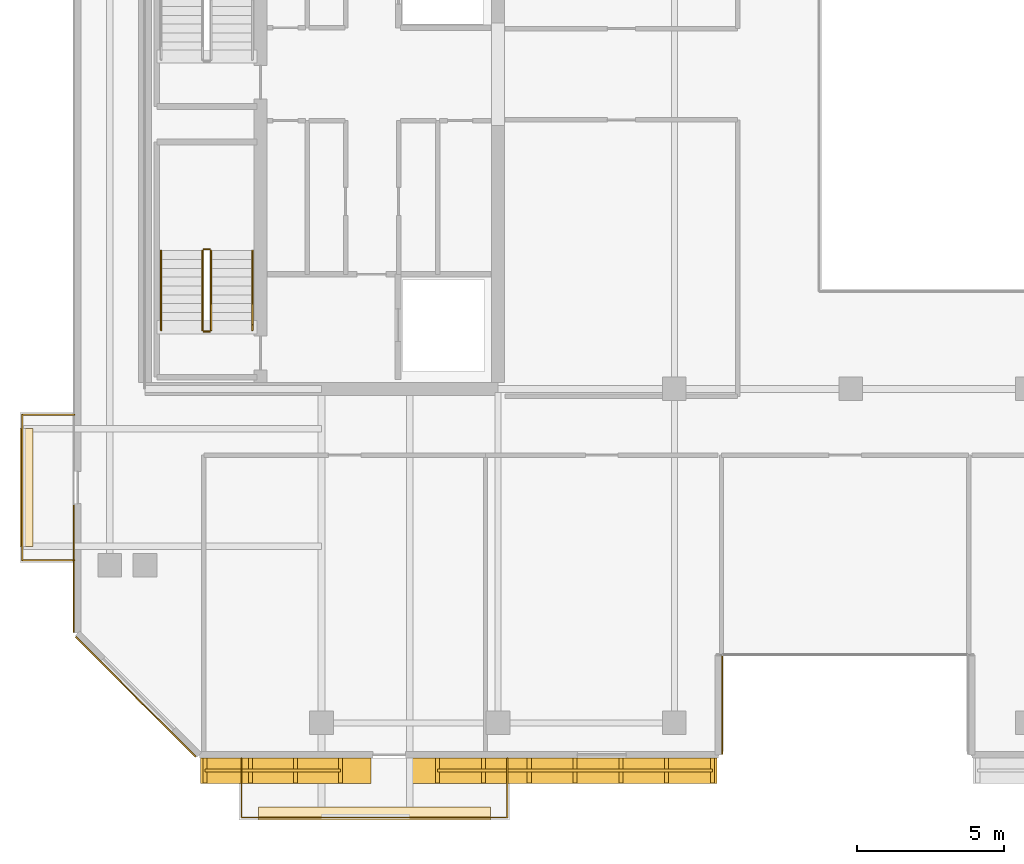
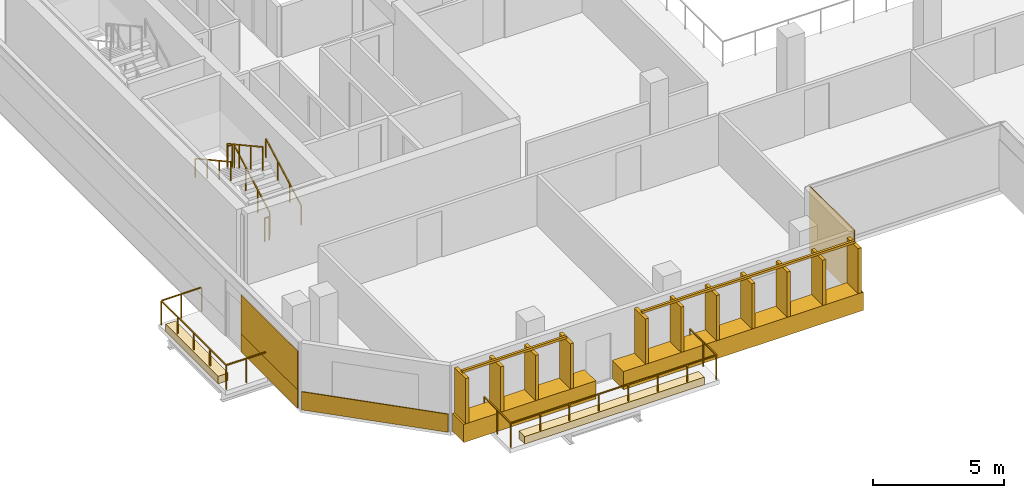
# One storey, part 17 of 22: 10 railings, 8 coverings.
"""IFC4 building model written with IfcOpenShell, lengths in metres."""

from ifc_helpers import new_model, si_unit, direction, frame, origin, origin_2d, place, context, subcontext, project, spatial, polyline, rectangle, outline, extrude, material, layer, layer_set, type_object, element, save


model = new_model("IFC4")

# Units and contexts
model_context = context("Model", 3, precision=1e-05, world=origin(), true_north=direction((0.0, 1.0)))
body_context = subcontext(model_context, "Body", "Model", "MODEL_VIEW")
ifc_project = project(units=[si_unit("LENGTHUNIT", "METRE"), si_unit("AREAUNIT", "SQUARE_METRE"), si_unit("VOLUMEUNIT", "CUBIC_METRE"), si_unit("PLANEANGLEUNIT", "RADIAN"), si_unit("MASSUNIT", "GRAM", prefix="KILO")], contexts=[model_context])

# Site, building, storey
site_placement = place(None, origin())
site = spatial("IfcSite", under=ifc_project, at=site_placement, CompositionType="ELEMENT")
building_placement = place(site_placement, origin())
building = spatial("IfcBuilding", under=site, at=building_placement, Name="Tanjung Sevakor Pilgrim Tower", CompositionType="ELEMENT")
storey_placement = place(building_placement, frame((0.0, 0.0, 195.030029296875)))
storey = spatial("IfcBuildingStorey", under=building, at=storey_placement, Name="L54", CompositionType="ELEMENT", Elevation=195.030029296875)

# Coverings
ifc_material_1 = material(Name="Reconstructed Limestone Cladding", Category="masonry")
ifc_layer_1 = layer(ifc_material_1, 0.044921875)
ifc_layer_set_1 = layer_set([ifc_layer_1], Name="COV-CLAD-LIMESTONE")
covering_type_1 = type_object("IfcCoveringType", Name="COV-CLAD-LIMESTONE", PredefinedType="CLADDING", material=ifc_layer_set_1)
covering_1_placement = place(storey_placement, frame((28.787841796875, 11.6201171875, 0.009765625), z_axis=(0.0, 0.0, 1.0), x_axis=(1.0, 0.0, 0.0)))
element("IfcCovering", 1, at=covering_1_placement, inside=storey, type_object=covering_type_1, Name="L54 Warm Limestone Sill Spandrel EW-L54-MAIN-1-1", PredefinedType="CLADDING", context=body_context, shape_type="SweptSolid", body=[
    extrude(rectangle(XDim=5.804443359375, YDim=0.860107421875, at=origin_2d()), origin(), (0.0, 0.0, 1.0), 0.840087890625),
])
covering_2_placement = place(storey_placement, frame((38.179931640625, 11.6201171875, 0.009765625), z_axis=(0.0, 0.0, 1.0), x_axis=(1.0, 0.0, 0.0)))
element("IfcCovering", 2, at=covering_2_placement, inside=storey, type_object=covering_type_1, Name="L54 Warm Limestone Sill Spandrel EW-L54-MAIN-1-2", PredefinedType="CLADDING", context=body_context, shape_type="SweptSolid", body=[
    extrude(rectangle(XDim=10.5400390625, YDim=0.860107421875, at=origin_2d()), origin(), (0.0, 0.0, 1.0), 0.840087890625),
])
covering_3_placement = place(storey_placement, frame((43.62255859375, 13.860107421875, 0.02001953125), z_axis=(0.0, 0.0, 1.0), x_axis=(0.0, 1.0, 0.0)))
element("IfcCovering", 3, at=covering_3_placement, inside=storey, type_object=covering_type_1, Name="L54 Warm Limestone Wall Cladding EW-L54-MAIN-2", PredefinedType="CLADDING", context=body_context, shape_type="SweptSolid", body=[
    extrude(rectangle(XDim=3.360107421875, YDim=0.044921875, at=origin_2d()), origin(), (0.0, 0.0, 1.0), 3.0400390625),
])
covering_4_placement = place(storey_placement, frame((21.577392578125, 18.48779296875, 0.009765625), z_axis=(0.0, 0.0, 1.0), x_axis=(0.0, -1.0, 0.0)))
element("IfcCovering", 4, at=covering_4_placement, inside=storey, type_object=covering_type_1, Name="L54 Warm Limestone Sill Spandrel EW-L54-MAIN-15-2", PredefinedType="CLADDING", context=body_context, shape_type="SweptSolid", body=[
    extrude(rectangle(XDim=4.304443359375, YDim=0.044921875, at=origin_2d()), origin(), (0.0, 0.0, 1.0), 0.840087890625),
])
covering_5_placement = place(storey_placement, frame((21.577392578125, 18.492919921875, 0.849853515625), z_axis=(0.0, 0.0, 1.0), x_axis=(0.0, -1.0, 0.0)))
element("IfcCovering", 5, at=covering_5_placement, inside=storey, type_object=covering_type_1, Name="L54 Warm Limestone Pier Panel EW-L54-MAIN-15-2", PredefinedType="CLADDING", context=body_context, shape_type="SweptSolid", body=[
    extrude(rectangle(XDim=4.314453125, YDim=0.044921875, at=origin_2d()), origin(), (0.0, 0.0, 1.0), 1.81005859375),
])
covering_6_placement = place(storey_placement, frame((23.68408203125, 14.134033203125, 0.009765625), z_axis=(0.0, 0.0, 1.0), x_axis=(0.707106781187, -0.707106781187, 0.0)))
element("IfcCovering", 6, at=covering_6_placement, inside=storey, type_object=covering_type_1, Name="L54 Warm Limestone Sill Spandrel EW-CHM-L54-MAIN-15-1", PredefinedType="CLADDING", context=body_context, shape_type="SweptSolid", body=[
    extrude(rectangle(XDim=5.7685546875, YDim=0.044921875, at=origin_2d()), origin(), (0.0, 0.0, 1.0), 0.840087890625),
])
ifc_material_2 = material(Name="Vegetated Modular Planter Assembly", Category="organic")
ifc_layer_2 = layer(ifc_material_2, 0.35009765625)
ifc_layer_set_2 = layer_set([ifc_layer_2], Name="COV-GRN-TROUGH")
covering_type_2 = type_object("IfcCoveringType", Name="COV-GRN-TROUGH", PredefinedType="CLADDING", material=ifc_layer_set_2)
covering_7_placement = place(storey_placement, origin())
element("IfcCovering", 7, at=covering_7_placement, inside=storey, type_object=covering_type_2, Name="L54 Planted Landscape Hedge Trough BGRN-L54-MAIN-S1", PredefinedType="CLADDING", context=body_context, shape_type="SweptSolid", body=[
    extrude(outline(polyline([(27.85009765625, 9.949951171875), (35.75, 9.949951171875), (35.75, 10.389892578125), (27.85009765625, 10.389892578125), (27.85009765625, 9.949951171875)])), origin(), (0.0, 0.0, 1.0), 0.349853515625),
])
covering_8_placement = place(storey_placement, origin())
element("IfcCovering", 8, at=covering_8_placement, inside=storey, type_object=covering_type_2, Name="L54 Planted Landscape Hedge Trough BGRN-L54-MAIN-W1", PredefinedType="CLADDING", context=body_context, shape_type="SweptSolid", body=[
    extrude(outline(polyline([(20.18994140625, 19.25), (20.18994140625, 23.25), (19.75, 23.25), (19.75, 19.25), (20.18994140625, 19.25)])), origin(), (0.0, 0.0, 1.0), 0.349853515625),
])

# Railings
ifc_material_3 = material(Name="Laminated Glass and Aluminium", Category="aluminium")
railing_type_1 = type_object("IfcRailingType", Name="RL-BAL-BALUST", PredefinedType="BALUSTRADE", material=ifc_material_3)
railing_1_placement = place(storey_placement, frame((27.280029296875, 12.050048828125, 0.0)))
element("IfcRailing", 9, at=railing_1_placement, inside=storey, type_object=railing_type_1, Name="L54 Loggia Balustrade MAIN-S1", PredefinedType="BALUSTRADE", context=body_context, shape_type="SweptSolid", body=[
    extrude(rectangle(XDim=0.0479, YDim=0.0479), frame((0.0, 0.0, 1.1259765625), z_axis=(0.0, -1.0, 0.0), x_axis=(1.0, 0.0, 0.0)), (0.0, 0.0, 1.0), 2.02001953125),
    extrude(rectangle(XDim=0.0479, YDim=0.0479), frame((0.0, -2.02001953125, 1.1259765625), z_axis=(1.0, 0.0, 0.0), x_axis=(0.0, 1.0, 0.0)), (0.0, 0.0, 1.0), 9.0400390625),
    extrude(rectangle(XDim=0.0479, YDim=0.0479), frame((9.0400390625, -2.02001953125, 1.1259765625), z_axis=(0.0, 1.0, 0.0), x_axis=(-1.0, 0.0, 0.0)), (0.0, 0.0, 1.0), 2.02001953125),
    extrude(rectangle(XDim=0.042, YDim=0.042), origin(), (0.0, 0.0, 1.0), 1.101806640625),
    extrude(rectangle(XDim=0.042, YDim=0.042), frame((0.0, -1.010009765625, 0.0)), (0.0, 0.0, 1.0), 1.101806640625),
    extrude(rectangle(XDim=0.042, YDim=0.042), frame((0.0, -2.02001953125, 0.0)), (0.0, 0.0, 1.0), 1.101806640625),
    extrude(rectangle(XDim=0.042, YDim=0.042), frame((1.29150390625, -2.02001953125, 0.0)), (0.0, 0.0, 1.0), 1.101806640625),
    extrude(rectangle(XDim=0.042, YDim=0.042), frame((2.582763671875, -2.02001953125, 0.0)), (0.0, 0.0, 1.0), 1.101806640625),
    extrude(rectangle(XDim=0.042, YDim=0.042), frame((3.874267578125, -2.02001953125, 0.0)), (0.0, 0.0, 1.0), 1.101806640625),
    extrude(rectangle(XDim=0.042, YDim=0.042), frame((5.165771484375, -2.02001953125, 0.0)), (0.0, 0.0, 1.0), 1.101806640625),
    extrude(rectangle(XDim=0.042, YDim=0.042), frame((6.457275390625, -2.02001953125, 0.0)), (0.0, 0.0, 1.0), 1.101806640625),
    extrude(rectangle(XDim=0.042, YDim=0.042), frame((7.74853515625, -2.02001953125, 0.0)), (0.0, 0.0, 1.0), 1.101806640625),
    extrude(rectangle(XDim=0.042, YDim=0.042), frame((9.0400390625, -2.02001953125, 0.0)), (0.0, 0.0, 1.0), 1.101806640625),
    extrude(rectangle(XDim=0.042, YDim=0.042), frame((9.0400390625, -1.010009765625, 0.0)), (0.0, 0.0, 1.0), 1.101806640625),
    extrude(rectangle(XDim=0.042, YDim=0.042), frame((9.0400390625, 0.0, 0.0)), (0.0, 0.0, 1.0), 1.101806640625),
])
railing_2_placement = place(storey_placement, frame((21.60009765625, 18.780029296875, 0.0)))
element("IfcRailing", 10, at=railing_2_placement, inside=storey, type_object=railing_type_1, Name="L54 Loggia Balustrade MAIN-W1", PredefinedType="BALUSTRADE", context=body_context, shape_type="SweptSolid", body=[
    extrude(rectangle(XDim=0.0479, YDim=0.0479), frame((0.0, 0.0, 1.1259765625), z_axis=(-1.0, 0.0, 0.0), x_axis=(0.0, -1.0, 0.0)), (0.0, 0.0, 1.0), 1.77001953125),
    extrude(rectangle(XDim=0.0479, YDim=0.0479), frame((-1.77001953125, 0.0, 1.1259765625), z_axis=(0.0, 1.0, 0.0), x_axis=(-1.0, 0.0, 0.0)), (0.0, 0.0, 1.0), 4.93994140625),
    extrude(rectangle(XDim=0.0479, YDim=0.0479), frame((-1.77001953125, 4.93994140625, 1.1259765625), z_axis=(1.0, 0.0, 0.0), x_axis=(0.0, 1.0, 0.0)), (0.0, 0.0, 1.0), 1.77001953125),
    extrude(rectangle(XDim=0.042, YDim=0.042), origin(), (0.0, 0.0, 1.0), 1.101806640625),
    extrude(rectangle(XDim=0.042, YDim=0.042), frame((-0.885009765625, 0.0, 0.0)), (0.0, 0.0, 1.0), 1.101806640625),
    extrude(rectangle(XDim=0.042, YDim=0.042), frame((-1.77001953125, 0.0, 0.0)), (0.0, 0.0, 1.0), 1.101806640625),
    extrude(rectangle(XDim=0.042, YDim=0.042), frame((-1.77001953125, 1.23486328125, 0.0)), (0.0, 0.0, 1.0), 1.101806640625),
    extrude(rectangle(XDim=0.042, YDim=0.042), frame((-1.77001953125, 2.469970703125, 0.0)), (0.0, 0.0, 1.0), 1.101806640625),
    extrude(rectangle(XDim=0.042, YDim=0.042), frame((-1.77001953125, 3.705078125, 0.0)), (0.0, 0.0, 1.0), 1.101806640625),
    extrude(rectangle(XDim=0.042, YDim=0.042), frame((-1.77001953125, 4.93994140625, 0.0)), (0.0, 0.0, 1.0), 1.101806640625),
    extrude(rectangle(XDim=0.042, YDim=0.042), frame((-0.885009765625, 4.93994140625, 0.0)), (0.0, 0.0, 1.0), 1.101806640625),
    extrude(rectangle(XDim=0.042, YDim=0.042), frame((0.0, 4.93994140625, 0.0)), (0.0, 0.0, 1.0), 1.101806640625),
])
ifc_material_4 = material(Name="Anodised Bronze Aluminium 6063-T6", Category="aluminium")
railing_type_2 = type_object("IfcRailingType", Name="RL-FIN-SCREEN", PredefinedType="BALUSTRADE", material=ifc_material_4)
railing_3_placement = place(storey_placement, frame((26.045654296875, 11.625, 0.840087890625)))
element("IfcRailing", 11, at=railing_3_placement, inside=storey, type_object=railing_type_2, Name="L54 Vertical Bronze-Gold Solar Fin Screen FNSCR-EW-L54-MAIN-1-1", PredefinedType="BALUSTRADE", context=body_context, shape_type="SweptSolid", body=[
    extrude(rectangle(XDim=0.105, YDim=0.105), frame((0.0, 0.0, 2.157470703125), z_axis=(1.0, 0.0, 0.0), x_axis=(0.0, 1.0, 0.0)), (0.0, 0.0, 1.0), 4.604248046875),
    extrude(rectangle(XDim=0.14, YDim=0.85), origin(), (0.0, 0.0, 1.0), 2.10498046875),
    extrude(rectangle(XDim=0.14, YDim=0.85), frame((1.53466796875, 0.0, 0.0)), (0.0, 0.0, 1.0), 2.10498046875),
    extrude(rectangle(XDim=0.14, YDim=0.85), frame((3.069580078125, 0.0, 0.0)), (0.0, 0.0, 1.0), 2.10498046875),
    extrude(rectangle(XDim=0.14, YDim=0.85), frame((4.604248046875, 0.0, 0.0)), (0.0, 0.0, 1.0), 2.10498046875),
])
railing_4_placement = place(storey_placement, frame((33.949951171875, 11.625, 0.840087890625)))
element("IfcRailing", 12, at=railing_4_placement, inside=storey, type_object=railing_type_2, Name="L54 Vertical Bronze-Gold Solar Fin Screen FNSCR-EW-L54-MAIN-1-2", PredefinedType="BALUSTRADE", context=body_context, shape_type="SweptSolid", body=[
    extrude(rectangle(XDim=0.105, YDim=0.105), frame((0.0, 0.0, 2.157470703125), z_axis=(1.0, 0.0, 0.0), x_axis=(0.0, 1.0, 0.0)), (0.0, 0.0, 1.0), 9.340087890625),
    extrude(rectangle(XDim=0.14, YDim=0.85), origin(), (0.0, 0.0, 1.0), 2.10498046875),
    extrude(rectangle(XDim=0.14, YDim=0.85), frame((1.556640625, 0.0, 0.0)), (0.0, 0.0, 1.0), 2.10498046875),
    extrude(rectangle(XDim=0.14, YDim=0.85), frame((3.11328125, 0.0, 0.0)), (0.0, 0.0, 1.0), 2.10498046875),
    extrude(rectangle(XDim=0.14, YDim=0.85), frame((4.669921875, 0.0, 0.0)), (0.0, 0.0, 1.0), 2.10498046875),
    extrude(rectangle(XDim=0.14, YDim=0.85), frame((6.226806640625, 0.0, 0.0)), (0.0, 0.0, 1.0), 2.10498046875),
    extrude(rectangle(XDim=0.14, YDim=0.85), frame((7.783447265625, 0.0, 0.0)), (0.0, 0.0, 1.0), 2.10498046875),
    extrude(rectangle(XDim=0.14, YDim=0.85), frame((9.340087890625, 0.0, 0.0)), (0.0, 0.0, 1.0), 2.10498046875),
])
ifc_material_5 = material(Name="Steel S355J2", Category="steel")
railing_type_3 = type_object("IfcRailingType", Name="RL-STAIR-GUARD", PredefinedType="GUARDRAIL", material=ifc_material_5)
railing_5_placement = place(storey_placement, frame((26.25, 26.60009765625, 0.1650390625)))
element("IfcRailing", 13, at=railing_5_placement, inside=storey, type_object=railing_type_3, Name="L54 TS-W1 stair guard 1", PredefinedType="GUARDRAIL", context=body_context, shape_type="SweptSolid", body=[
    extrude(rectangle(XDim=0.0479, YDim=0.0479), frame((0.0, 0.0, 1.076171875), z_axis=(0.0, 0.876230963923, 0.481891375584), x_axis=(-1.0, 0.0, 0.0)), (0.0, 0.0, 1.0), 3.081298828125),
    extrude(rectangle(XDim=0.042, YDim=0.042), origin(), (0.0, 0.0, 1.0), 1.052001953125),
    extrude(rectangle(XDim=0.042, YDim=0.042), frame((0.0, 0.89990234375, 0.494873046875)), (0.0, 0.0, 1.0), 1.052001953125),
    extrude(rectangle(XDim=0.042, YDim=0.042), frame((0.0, 1.800048828125, 0.989990234375)), (0.0, 0.0, 1.0), 1.052001953125),
    extrude(rectangle(XDim=0.042, YDim=0.042), frame((0.0, 2.699951171875, 1.48486328125)), (0.0, 0.0, 1.0), 1.052001953125),
])
railing_6_placement = place(storey_placement, frame((26.199951171875, 29.35009765625, 1.64990234375)))
element("IfcRailing", 14, at=railing_6_placement, inside=storey, type_object=railing_type_3, Name="L54 TS-W1 stair guard 2", PredefinedType="GUARDRAIL", context=body_context, shape_type="SweptSolid", body=[
    extrude(rectangle(XDim=0.0479, YDim=0.0479), frame((0.0, 0.0, 1.076171875), z_axis=(-1.0, 0.0, 0.0), x_axis=(0.0, -1.0, 0.0)), (0.0, 0.0, 1.0), 0.199951171875),
    extrude(rectangle(XDim=0.042, YDim=0.042), origin(), (0.0, 0.0, 1.0), 1.052001953125),
    extrude(rectangle(XDim=0.042, YDim=0.042), frame((-0.199951171875, 0.0, 0.0)), (0.0, 0.0, 1.0), 1.052001953125),
])
railing_7_placement = place(storey_placement, frame((25.949951171875, 29.300048828125, 1.81494140625)))
element("IfcRailing", 15, at=railing_7_placement, inside=storey, type_object=railing_type_3, Name="L54 TS-W1 stair guard 3", PredefinedType="GUARDRAIL", context=body_context, shape_type="SweptSolid", body=[
    extrude(rectangle(XDim=0.0479, YDim=0.0479), frame((0.0, 0.0, 1.076171875), z_axis=(0.0, -0.876197507361, 0.481952205197), x_axis=(1.0, 0.0, 0.0)), (0.0, 0.0, 1.0), 3.08154296875),
    extrude(rectangle(XDim=0.042, YDim=0.042), origin(), (0.0, 0.0, 1.0), 1.052001953125),
    extrude(rectangle(XDim=0.042, YDim=0.042), frame((0.0, -0.89990234375, 0.4951171875)), (0.0, 0.0, 1.0), 1.052001953125),
    extrude(rectangle(XDim=0.042, YDim=0.042), frame((0.0, -1.800048828125, 0.989990234375)), (0.0, 0.0, 1.0), 1.052001953125),
    extrude(rectangle(XDim=0.042, YDim=0.042), frame((0.0, -2.699951171875, 1.485107421875)), (0.0, 0.0, 1.0), 1.052001953125),
])
railing_8_placement = place(storey_placement, frame((26.199951171875, 26.550048828125, 0.0)))
element("IfcRailing", 16, at=railing_8_placement, inside=storey, type_object=railing_type_3, Name="L54 TS-W1 stair guard 4", PredefinedType="GUARDRAIL", context=body_context, shape_type="SweptSolid", body=[
    extrude(rectangle(XDim=0.0479, YDim=0.0479), frame((0.0, 0.0, 1.076171875), z_axis=(-1.0, 0.0, 0.0), x_axis=(0.0, -1.0, 0.0)), (0.0, 0.0, 1.0), 0.199951171875),
    extrude(rectangle(XDim=0.042, YDim=0.042), origin(), (0.0, 0.0, 1.0), 1.052001953125),
    extrude(rectangle(XDim=0.042, YDim=0.042), frame((-0.199951171875, 0.0, 0.0)), (0.0, 0.0, 1.0), 1.052001953125),
])
ifc_material_6 = material(Name="Steel S355J2", Category="steel")
railing_type_4 = type_object("IfcRailingType", Name="RL-STAIR-HAND", PredefinedType="HANDRAIL", material=ifc_material_6)
railing_9_placement = place(storey_placement, frame((27.64990234375, 26.60009765625, 0.1650390625)))
element("IfcRailing", 17, at=railing_9_placement, inside=storey, type_object=railing_type_4, Name="L54 TS-W1 stair handrail 1", PredefinedType="HANDRAIL", context=body_context, shape_type="SweptSolid", body=[
    extrude(rectangle(XDim=0.0479, YDim=0.0479), frame((0.0, 0.0, 0.8759765625), z_axis=(0.0, 0.876230963923, 0.481891375584), x_axis=(-1.0, 0.0, 0.0)), (0.0, 0.0, 1.0), 3.081298828125),
    extrude(rectangle(XDim=0.042, YDim=0.042), origin(), (0.0, 0.0, 1.0), 0.851806640625),
    extrude(rectangle(XDim=0.042, YDim=0.042), frame((0.0, 0.89990234375, 0.494873046875)), (0.0, 0.0, 1.0), 0.851806640625),
    extrude(rectangle(XDim=0.042, YDim=0.042), frame((0.0, 1.800048828125, 0.989990234375)), (0.0, 0.0, 1.0), 0.851806640625),
    extrude(rectangle(XDim=0.042, YDim=0.042), frame((0.0, 2.699951171875, 1.48486328125)), (0.0, 0.0, 1.0), 0.851806640625),
])
railing_10_placement = place(storey_placement, frame((24.550048828125, 29.300048828125, 1.81494140625)))
element("IfcRailing", 18, at=railing_10_placement, inside=storey, type_object=railing_type_4, Name="L54 TS-W1 stair handrail 2", PredefinedType="HANDRAIL", context=body_context, shape_type="SweptSolid", body=[
    extrude(rectangle(XDim=0.0479, YDim=0.0479), frame((0.0, 0.0, 0.8759765625), z_axis=(0.0, -0.876197507361, 0.481952205197), x_axis=(1.0, 0.0, 0.0)), (0.0, 0.0, 1.0), 3.08154296875),
    extrude(rectangle(XDim=0.042, YDim=0.042), origin(), (0.0, 0.0, 1.0), 0.851806640625),
    extrude(rectangle(XDim=0.042, YDim=0.042), frame((0.0, -0.89990234375, 0.4951171875)), (0.0, 0.0, 1.0), 0.851806640625),
    extrude(rectangle(XDim=0.042, YDim=0.042), frame((0.0, -1.800048828125, 0.989990234375)), (0.0, 0.0, 1.0), 0.851806640625),
    extrude(rectangle(XDim=0.042, YDim=0.042), frame((0.0, -2.699951171875, 1.485107421875)), (0.0, 0.0, 1.0), 0.851806640625),
])

save(model, "model.ifc")
